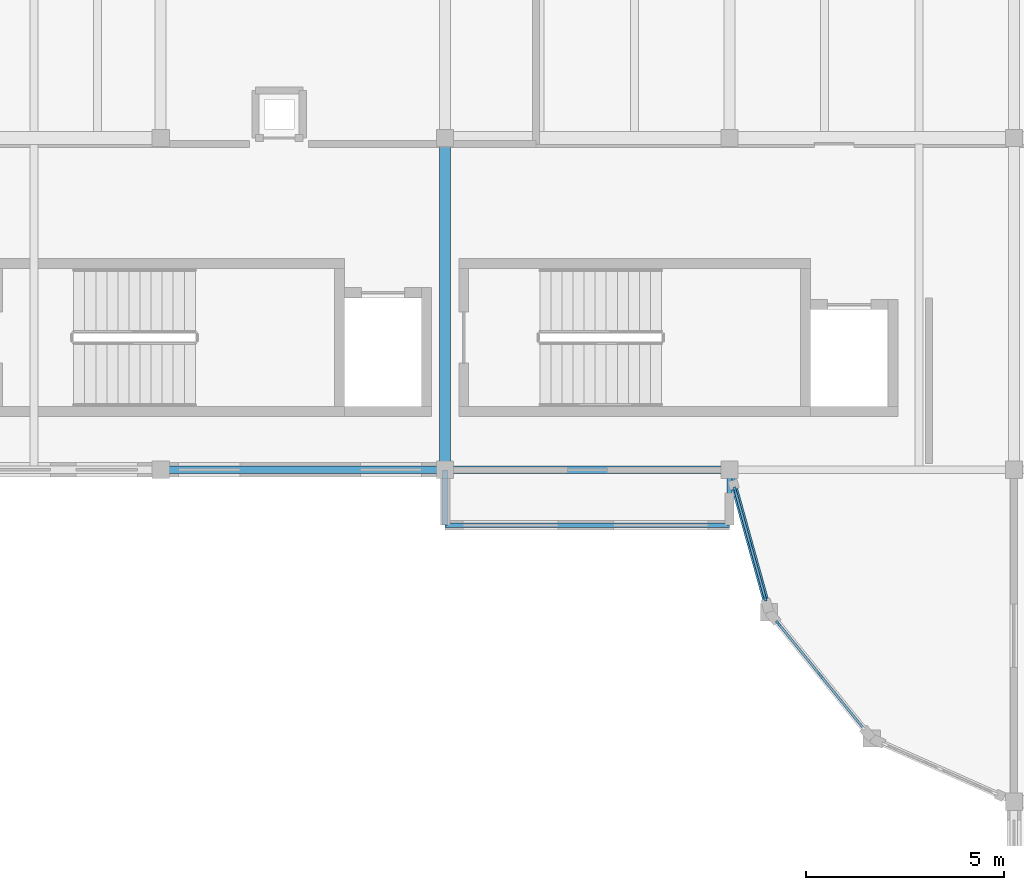
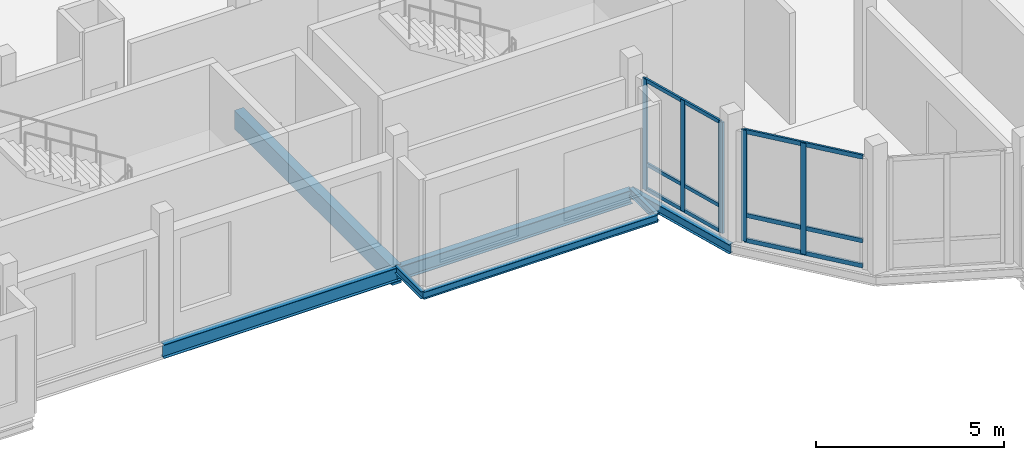
# One storey, part 22 of 81: 11 members, 7 beams, 2 elements without a shape of their own.
"""IFC4 building model written with IfcOpenShell, lengths in metres."""

from ifc_helpers import new_model, si_unit, direction, frame, origin, origin_2d, place, context, subcontext, project, spatial, rectangle, i_section, extrude, material, material_profile, profile_set, type_object, element, aggregate, save


model = new_model("IFC4")

# Units and contexts
model_context = context("Model", 3, precision=1e-05, world=origin(), true_north=direction((0.0, 1.0)))
body_context = subcontext(model_context, "Body", "Model", "MODEL_VIEW")
ifc_project = project(units=[si_unit("LENGTHUNIT", "METRE"), si_unit("AREAUNIT", "SQUARE_METRE"), si_unit("VOLUMEUNIT", "CUBIC_METRE"), si_unit("PLANEANGLEUNIT", "RADIAN"), si_unit("MASSUNIT", "GRAM", prefix="KILO")], contexts=[model_context])

# Site, building, storey
site_placement = place(None, origin())
site = spatial("IfcSite", under=ifc_project, at=site_placement, CompositionType="ELEMENT")
building_placement = place(site_placement, origin())
building = spatial("IfcBuilding", under=site, at=building_placement, Name="Kahlenmark Community Centre", CompositionType="ELEMENT")
storey_placement = place(building_placement, frame((0.0, 0.0, 9.60009765625)))
storey = spatial("IfcBuildingStorey", under=building, at=storey_placement, Name="L02", CompositionType="ELEMENT", Elevation=9.60009765625)

# Beams
ifc_material_1 = material(Name="Glulam GL32h", Category="wood")
ifc_material_profile_1 = material_profile(ifc_material_1, rectangle(XDim=0.280029296875, YDim=0.60009765625, at=origin_2d()), Name="GL32h 280x600")
ifc_profile_set_1 = profile_set([ifc_material_profile_1], Name="Glulam GL32h")
beam_type_1 = type_object("IfcBeamType", Name="BT-BEAM-GL32h280x600", PredefinedType="BEAM", material=ifc_profile_set_1)
beam_1_placement = place(storey_placement, frame((58.0, 97.60009765625, -0.52001953125), z_axis=(0.0, 1.0, 0.0), x_axis=(-1.0, 0.0, 0.0)))
element("IfcBeam", 1, at=beam_1_placement, inside=storey, type_object=beam_type_1, Name="L02 beam BG-GL32h280x600", PredefinedType="BEAM", context=body_context, shape_type="SweptSolid", body=[
    extrude(rectangle(XDim=0.280029296875, YDim=0.60009765625, at=origin_2d()), origin(), (0.0, 0.0, 1.0), 8.39990234375),
])
ifc_material_2 = material(Name="Steel S355", Category="steel")
ifc_material_profile_2 = material_profile(ifc_material_2, i_section(OverallWidth=0.1201171875, OverallDepth=0.239990234375, WebThickness=0.006103515625, FlangeThickness=0.009765625, at=origin_2d()), Name="IPE 240")
ifc_profile_set_2 = profile_set([ifc_material_profile_2], Name="Steel S355")
beam_type_2 = type_object("IfcBeamType", Name="BT-BEAM-IPE240", PredefinedType="BEAM", material=ifc_profile_set_2)
for number, where, z_axis, x_axis, name in (
    (2, (58.0, 96.199951171875, -0.320068359375), (0.0, 1.0, 0.0), (-1.0, 0.0, 0.0), "L02 beam BG-IPE240"),
    (3, (65.199951171875, 96.199951171875, -0.320068359375), (0.0, 1.0, 0.0), (-1.0, 0.0, 0.0), "L02 beam BG-IPE240"),
):
    element("IfcBeam", number, at=place(storey_placement, frame(where, z_axis=z_axis, x_axis=x_axis)), inside=storey, type_object=beam_type_2, Name=name, PredefinedType="BEAM", context=body_context, shape_type="SweptSolid", body=[
        extrude(i_section(OverallWidth=0.1201171875, OverallDepth=0.239990234375, WebThickness=0.006103515625, FlangeThickness=0.009765625, at=origin_2d()), origin(), (0.0, 0.0, 1.0), 1.400146484375),
    ])
ifc_material_profile_3 = material_profile(ifc_material_2, i_section(OverallWidth=0.1201171875, OverallDepth=0.239990234375, WebThickness=0.006103515625, FlangeThickness=0.009765625, at=origin_2d()), Name="IPE 240")
ifc_profile_set_3 = profile_set([ifc_material_profile_3], Name="Steel S355")
beam_type_3 = type_object("IfcBeamType", Name="BT-SPANDREL-IPE240", PredefinedType="SPANDREL", material=ifc_profile_set_3)
beam_2_placement = place(storey_placement, frame((58.0, 96.199951171875, -0.320068359375), z_axis=(1.0, 0.0, 0.0), x_axis=(0.0, 1.0, 0.0)))
element("IfcBeam", 4, at=beam_2_placement, inside=storey, type_object=beam_type_3, Name="L02 spandrel SP-IPE240", PredefinedType="SPANDREL", context=body_context, shape_type="SweptSolid", body=[
    extrude(i_section(OverallWidth=0.1201171875, OverallDepth=0.239990234375, WebThickness=0.006103515625, FlangeThickness=0.009765625, at=origin_2d()), origin(), (0.0, 0.0, 1.0), 7.199951171875),
])
ifc_material_profile_4 = material_profile(ifc_material_2, i_section(OverallWidth=0.14990234375, OverallDepth=0.300048828125, WebThickness=0.007080078125, FlangeThickness=0.0107421875, at=origin_2d()), Name="IPE 300")
ifc_profile_set_4 = profile_set([ifc_material_profile_4], Name="Steel S355")
beam_type_4 = type_object("IfcBeamType", Name="BT-SPANDREL-IPE300", PredefinedType="SPANDREL", material=ifc_profile_set_4)
beam_3_placement = place(storey_placement, frame((65.199951171875, 97.60009765625, -0.35009765625), z_axis=(0.267637123724, -0.963519781844, 0.0), x_axis=(0.963519781844, 0.267637123724, 0.0)))
element("IfcBeam", 5, at=beam_3_placement, inside=storey, type_object=beam_type_4, Name="L02 spandrel SP-IPE300", PredefinedType="SPANDREL", context=body_context, shape_type="SweptSolid", body=[
    extrude(i_section(OverallWidth=0.14990234375, OverallDepth=0.300048828125, WebThickness=0.007080078125, FlangeThickness=0.0107421875, at=origin_2d()), origin(), (0.0, 0.0, 1.0), 3.736328125),
])
ifc_material_profile_5 = material_profile(ifc_material_2, i_section(OverallWidth=0.18994140625, OverallDepth=0.449951171875, WebThickness=0.009521484375, FlangeThickness=0.0146484375, at=origin_2d()), Name="IPE 450")
ifc_profile_set_5 = profile_set([ifc_material_profile_5], Name="Steel S355")
beam_type_5 = type_object("IfcBeamType", Name="BT-SPANDREL-IPE450", PredefinedType="SPANDREL", material=ifc_profile_set_5)
for number, where, z_axis, x_axis, name in (
    (6, (50.800048828125, 97.60009765625, -0.445068359375), (1.0, 0.0, 0.0), (0.0, 1.0, 0.0), "L02 spandrel SP-IPE450"),
    (7, (58.0, 97.60009765625, -0.445068359375), (1.0, 0.0, 0.0), (0.0, 1.0, 0.0), "L02 spandrel SP-IPE450"),
):
    element("IfcBeam", number, at=place(storey_placement, frame(where, z_axis=z_axis, x_axis=x_axis)), inside=storey, type_object=beam_type_5, Name=name, PredefinedType="SPANDREL", context=body_context, shape_type="SweptSolid", body=[
        extrude(i_section(OverallWidth=0.18994140625, OverallDepth=0.449951171875, WebThickness=0.009521484375, FlangeThickness=0.0146484375, at=origin_2d()), origin(), (0.0, 0.0, 1.0), 7.199951171875),
    ])

# Curtain wall, members
ifc_material_3 = material(Name="Anodised aluminium unitised curtain wall", Category="aluminium")
curtain_wall_type_1 = type_object("IfcCurtainWallType", Name="CWT-UNIT-290X361", PredefinedType="USERDEFINED", material=ifc_material_3)
curtain_wall_1_placement = place(storey_placement, origin())
curtain_wall_1 = element("IfcCurtainWall", 8, at=curtain_wall_1_placement, inside=storey, type_object=curtain_wall_type_1, Name="Unitised curtain wall CW-179", ObjectType="UNITISED CURTAIN WALL", PredefinedType="USERDEFINED")
ifc_material_4 = material(Name="Anodised aluminium 6063-T6", Category="aluminium")
ifc_material_profile_6 = material_profile(ifc_material_4, rectangle(XDim=0.06005859375, YDim=0.159912109375, at=origin_2d()), Name="ALU MULLION 60x160")
ifc_profile_set_6 = profile_set([ifc_material_profile_6], Name="Anodised aluminium 6063-T6")
member_type_1 = type_object("IfcMemberType", Name="MT-MUL-160", PredefinedType="MULLION", material=ifc_profile_set_6)
member_1_placement = place(storey_placement, frame((65.341796875, 97.08935546875, 0.0), z_axis=(0.0, 0.0, 1.0), x_axis=(0.963515158188, 0.26765376878, 0.0)))
member_1 = element("IfcMember", 9, at=member_1_placement, type_object=member_type_1, Name="CW-179 mullion 1", PredefinedType="MULLION", context=body_context, shape_type="SweptSolid", body=[
    extrude(rectangle(XDim=0.06005859375, YDim=0.159912109375, at=origin_2d()), origin(), (0.0, 0.0, 1.0), 3.60986328125),
])
member_2_placement = place(storey_placement, frame((65.721435546875, 95.722900390625, 0.0), z_axis=(0.0, 0.0, 1.0), x_axis=(0.963515158188, 0.26765376878, 0.0)))
member_2 = element("IfcMember", 10, at=member_2_placement, type_object=member_type_1, Name="CW-179 mullion 2", PredefinedType="MULLION", context=body_context, shape_type="SweptSolid", body=[
    extrude(rectangle(XDim=0.06005859375, YDim=0.159912109375, at=origin_2d()), origin(), (0.0, 0.0, 1.0), 3.60986328125),
])
member_3_placement = place(storey_placement, frame((66.10107421875, 94.3564453125, 0.0), z_axis=(0.0, 0.0, 1.0), x_axis=(0.963515158188, 0.26765376878, 0.0)))
member_3 = element("IfcMember", 11, at=member_3_placement, type_object=member_type_1, Name="CW-179 mullion 3", PredefinedType="MULLION", context=body_context, shape_type="SweptSolid", body=[
    extrude(rectangle(XDim=0.06005859375, YDim=0.159912109375, at=origin_2d()), origin(), (0.0, 0.0, 1.0), 3.60986328125),
])

curtain_wall_type_2 = type_object("IfcCurtainWallType", Name="CWT-UNIT-344X361", PredefinedType="USERDEFINED", material=ifc_material_3)
curtain_wall_2_placement = place(storey_placement, origin())
curtain_wall_2 = element("IfcCurtainWall", 12, at=curtain_wall_2_placement, inside=storey, type_object=curtain_wall_type_2, Name="Unitised curtain wall CW-180", ObjectType="UNITISED CURTAIN WALL", PredefinedType="USERDEFINED")
member_4_placement = place(storey_placement, frame((66.433349609375, 93.712890625, 0.0), z_axis=(0.0, 0.0, 1.0), x_axis=(0.776109145231, 0.63059860029, 0.0)))
member_4 = element("IfcMember", 13, at=member_4_placement, type_object=member_type_1, Name="CW-180 mullion 1", PredefinedType="MULLION", context=body_context, shape_type="SweptSolid", body=[
    extrude(rectangle(XDim=0.06005859375, YDim=0.159912109375, at=origin_2d()), origin(), (0.0, 0.0, 1.0), 3.60986328125),
])
member_5_placement = place(storey_placement, frame((67.5, 92.39990234375, 0.0), z_axis=(0.0, 0.0, 1.0), x_axis=(0.776109145231, 0.63059860029, 0.0)))
member_5 = element("IfcMember", 14, at=member_5_placement, type_object=member_type_1, Name="CW-180 mullion 2", PredefinedType="MULLION", context=body_context, shape_type="SweptSolid", body=[
    extrude(rectangle(XDim=0.06005859375, YDim=0.159912109375, at=origin_2d()), origin(), (0.0, 0.0, 1.0), 3.60986328125),
])

# Member
ifc_material_profile_7 = material_profile(ifc_material_4, rectangle(XDim=0.06005859375, YDim=0.1201171875, at=origin_2d()), Name="ALU TRANSOM 60x120")
ifc_profile_set_7 = profile_set([ifc_material_profile_7], Name="Anodised aluminium 6063-T6")
member_type_2 = type_object("IfcMemberType", Name="MT-TRN-120", PredefinedType="USERDEFINED", material=ifc_profile_set_7)
member_6_placement = place(storey_placement, frame((65.341796875, 97.08935546875, 0.039794921875), z_axis=(0.267688256657, -0.963505577175, 0.0), x_axis=(0.963505577175, 0.267688256657, 0.0)))
member_6 = element("IfcMember", 15, at=member_6_placement, type_object=member_type_2, Name="CW-179 transom 1", ObjectType="TRANSOM", PredefinedType="USERDEFINED", context=body_context, shape_type="SweptSolid", body=[
    extrude(rectangle(XDim=0.06005859375, YDim=0.1201171875, at=origin_2d()), origin(), (0.0, 0.0, 1.0), 2.83642578125),
])

member_7_placement = place(storey_placement, frame((65.341796875, 97.08935546875, 0.849853515625), z_axis=(0.267688256657, -0.963505577175, 0.0), x_axis=(0.963505577175, 0.267688256657, 0.0)))
member_7 = element("IfcMember", 16, at=member_7_placement, type_object=member_type_2, Name="CW-179 transom 2", ObjectType="TRANSOM", PredefinedType="USERDEFINED", context=body_context, shape_type="SweptSolid", body=[
    extrude(rectangle(XDim=0.06005859375, YDim=0.1201171875, at=origin_2d()), origin(), (0.0, 0.0, 1.0), 2.83642578125),
])

member_8_placement = place(storey_placement, frame((65.341796875, 97.08935546875, 3.56982421875), z_axis=(0.267688256657, -0.963505577175, 0.0), x_axis=(0.963505577175, 0.267688256657, 0.0)))
member_8 = element("IfcMember", 17, at=member_8_placement, type_object=member_type_2, Name="CW-179 transom 3", ObjectType="TRANSOM", PredefinedType="USERDEFINED", context=body_context, shape_type="SweptSolid", body=[
    extrude(rectangle(XDim=0.06005859375, YDim=0.1201171875, at=origin_2d()), origin(), (0.0, 0.0, 1.0), 2.83642578125),
])

aggregate(curtain_wall_1, [member_1, member_2, member_3, member_6, member_7, member_8])

ifc_material_profile_8 = material_profile(ifc_material_4, rectangle(XDim=0.06005859375, YDim=0.139892578125, at=origin_2d()), Name="ALU TRANSOM 60x140")
ifc_profile_set_8 = profile_set([ifc_material_profile_8], Name="Anodised aluminium 6063-T6")
member_type_3 = type_object("IfcMemberType", Name="MT-TRN-140", PredefinedType="USERDEFINED", material=ifc_profile_set_8)
member_9_placement = place(storey_placement, frame((66.433349609375, 93.712890625, 0.039794921875), z_axis=(0.630573607431, -0.776129451581, 0.0), x_axis=(0.776129451581, 0.630573607431, 0.0)))
member_9 = element("IfcMember", 18, at=member_9_placement, type_object=member_type_3, Name="CW-180 transom 1", ObjectType="TRANSOM", PredefinedType="USERDEFINED", context=body_context, shape_type="SweptSolid", body=[
    extrude(rectangle(XDim=0.06005859375, YDim=0.139892578125, at=origin_2d()), origin(), (0.0, 0.0, 1.0), 3.383056640625),
])

member_10_placement = place(storey_placement, frame((66.433349609375, 93.712890625, 0.849853515625), z_axis=(0.630573607431, -0.776129451581, 0.0), x_axis=(0.776129451581, 0.630573607431, 0.0)))
member_10 = element("IfcMember", 19, at=member_10_placement, type_object=member_type_3, Name="CW-180 transom 2", ObjectType="TRANSOM", PredefinedType="USERDEFINED", context=body_context, shape_type="SweptSolid", body=[
    extrude(rectangle(XDim=0.06005859375, YDim=0.139892578125, at=origin_2d()), origin(), (0.0, 0.0, 1.0), 3.383056640625),
])

member_11_placement = place(storey_placement, frame((66.433349609375, 93.712890625, 3.56982421875), z_axis=(0.630573607431, -0.776129451581, 0.0), x_axis=(0.776129451581, 0.630573607431, 0.0)))
member_11 = element("IfcMember", 20, at=member_11_placement, type_object=member_type_3, Name="CW-180 transom 3", ObjectType="TRANSOM", PredefinedType="USERDEFINED", context=body_context, shape_type="SweptSolid", body=[
    extrude(rectangle(XDim=0.06005859375, YDim=0.139892578125, at=origin_2d()), origin(), (0.0, 0.0, 1.0), 3.383056640625),
])

aggregate(curtain_wall_2, [member_4, member_5, member_9, member_10, member_11])

save(model, "model.ifc")
